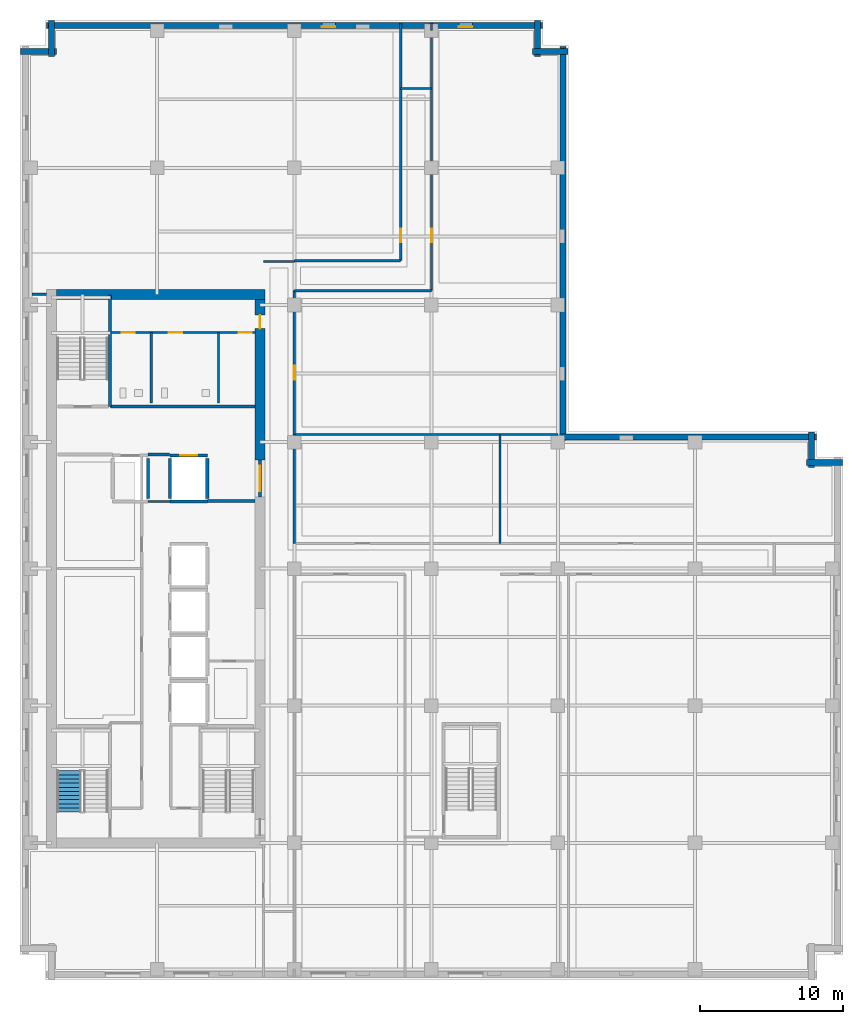
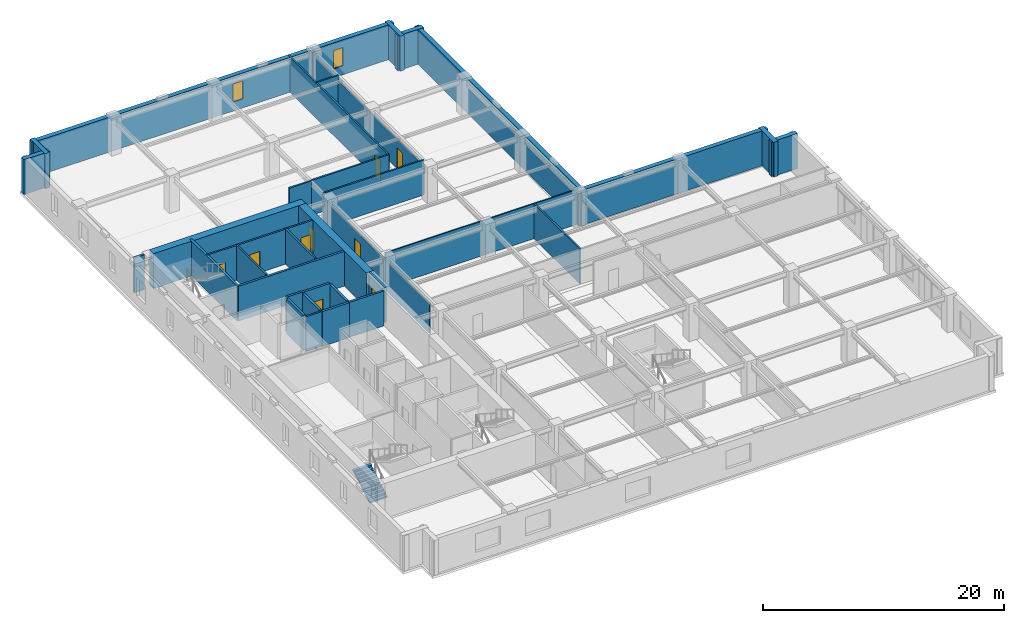
# One storey, part 6 of 12: 37 walls, 9 doors, 2 windows, 1 stair flight, 11 openings, 1 element without a shape of its own.
"""IFC4 building model written with IfcOpenShell, lengths in metres."""

from ifc_helpers import new_model, si_unit, direction, frame, frame_2d, origin, place, context, subcontext, project, spatial, polyline, rectangle, outline, extrude, material, layer, layer_set, type_object, element, fill, aggregate, save


model = new_model("IFC4")

# Units and contexts
model_context = context("Model", 3, precision=1e-05, world=origin(), true_north=direction((0.0, 1.0)))
body_context = subcontext(model_context, "Body", "Model", "MODEL_VIEW")
ifc_project = project(units=[si_unit("LENGTHUNIT", "METRE"), si_unit("AREAUNIT", "SQUARE_METRE"), si_unit("VOLUMEUNIT", "CUBIC_METRE"), si_unit("PLANEANGLEUNIT", "RADIAN"), si_unit("MASSUNIT", "GRAM", prefix="KILO")], contexts=[model_context])

# Site, building, storey
site_placement = place(None, origin())
site = spatial("IfcSite", under=ifc_project, at=site_placement, CompositionType="ELEMENT")
building_placement = place(site_placement, origin())
building = spatial("IfcBuilding", under=site, at=building_placement, Name="Norrvale University Quadrangle", CompositionType="ELEMENT")
storey_placement = place(building_placement, frame((0.0, 0.0, 182.60009765625)))
storey = spatial("IfcBuildingStorey", under=building, at=storey_placement, Name="L46", CompositionType="ELEMENT", Elevation=182.60009765625)

# Walls
ifc_material_1 = material(Name="Buff Norman Clay Brick Masonry", Category="masonry")
ifc_layer_1 = layer(ifc_material_1, 0.419921875, Name="Buff Norman Clay Brick Masonry")
ifc_layer_set_1 = layer_set([ifc_layer_1], Name="Buff Norman Clay Brick Masonry")
wall_type_1 = type_object("IfcWallType", Name="Wall Buff Brick 420", PredefinedType="SOLIDWALL", material=ifc_layer_set_1)
for number, where, z_axis, x_axis, name in (
    (1, (57.56005859375, 36.2099609375, 0.0), (0.0, 0.0, 1.0), (-1.0, 0.0, 0.0), "Exterior Brick Facade Wall L46-05.1"),
    (2, (55.409912109375, 35.860107421875, 0.0), (0.0, 0.0, 1.0), (0.0, 1.0, 0.0), "Exterior Brick Facade Wall L46-06.1"),
):
    element("IfcWall", number, at=place(storey_placement, frame(where, z_axis=z_axis, x_axis=x_axis)), inside=storey, type_object=wall_type_1, Name=name, PredefinedType="SOLIDWALL", context=body_context, shape_type="SweptSolid", body=[
        extrude(rectangle(XDim=2.5, YDim=0.419921875, at=frame_2d((1.25, 0.0))), origin(), (0.0, 0.0, 1.0), 3.539794921875),
    ])
wall_1_placement = place(storey_placement, frame((55.760009765625, 38.010009765625, 0.0), z_axis=(0.0, 0.0, 1.0), x_axis=(-1.0, 0.0, 0.0)))
element("IfcWall", 3, at=wall_1_placement, inside=storey, type_object=wall_type_1, Name="Exterior Brick Facade Wall L46-07.1", PredefinedType="SOLIDWALL", context=body_context, shape_type="SweptSolid", body=[
    extrude(rectangle(XDim=18.10009765625, YDim=0.419921875, at=frame_2d((9.050048828125, 0.0))), origin(), (0.0, 0.0, 1.0), 3.539794921875),
])
wall_2_placement = place(storey_placement, frame((38.010009765625, 37.659912109375, 0.0), z_axis=(0.0, 0.0, 1.0), x_axis=(0.0, 1.0, 0.0)))
element("IfcWall", 4, at=wall_2_placement, inside=storey, type_object=wall_type_1, Name="Exterior Brick Facade Wall L46-08.1", PredefinedType="SOLIDWALL", context=body_context, shape_type="SweptSolid", body=[
    extrude(rectangle(XDim=27.7001953125, YDim=0.419921875, at=frame_2d((13.85009765625, 0.0))), origin(), (0.0, 0.0, 1.0), 3.539794921875),
])
for number, where, z_axis, x_axis, name in (
    (5, (38.360107421875, 65.010009765625, 0.0), (0.0, 0.0, 1.0), (-1.0, 0.0, 0.0), "Exterior Brick Facade Wall L46-09.1"),
    (6, (36.2099609375, 64.659912109375, 0.0), (0.0, 0.0, 1.0), (0.0, 1.0, 0.0), "Exterior Brick Facade Wall L46-10.1"),
):
    element("IfcWall", number, at=place(storey_placement, frame(where, z_axis=z_axis, x_axis=x_axis)), inside=storey, type_object=wall_type_1, Name=name, PredefinedType="SOLIDWALL", context=body_context, shape_type="SweptSolid", body=[
        extrude(rectangle(XDim=2.5, YDim=0.419921875, at=frame_2d((1.25, 0.0))), origin(), (0.0, 0.0, 1.0), 3.539794921875),
    ])

# Wall, openings, windows
wall_3_placement = place(storey_placement, frame((36.56005859375, 66.81005859375, 0.0), z_axis=(0.0, 0.0, 1.0), x_axis=(-1.0, 0.0, 0.0)))
wall_3 = element("IfcWall", 7, at=wall_3_placement, inside=storey, type_object=wall_type_1, Name="Exterior Brick Facade Wall L46-11.1", PredefinedType="SOLIDWALL", context=body_context, shape_type="SweptSolid", body=[
    extrude(rectangle(XDim=34.719970703125, YDim=0.419921875, at=frame_2d((17.35986328125, 0.0))), origin(), (0.0, 0.0, 1.0), 3.539794921875),
])
opening_1_placement = place(wall_3_placement, frame((4.885009765625, 0.0, 0.89990234375)))
opening_1 = element("IfcOpeningElement", 8, at=opening_1_placement, cuts=wall_3, Name="Opening W04", PredefinedType="OPENING", context=body_context, shape_type="SweptSolid", body=[
    extrude(rectangle(XDim=0.949951171875, YDim=1.85009765625, at=frame_2d((0.47509765625, 0.925048828125))), frame((0.0, 0.221923828125, 0.0), z_axis=(0.0, -1.0, 0.0), x_axis=(1.0, 0.0, 0.0)), (0.0, 0.0, 1.0), 0.44384765625),
])
opening_2_placement = place(wall_3_placement, frame((14.485107421875, 0.0, 0.89990234375)))
opening_2 = element("IfcOpeningElement", 9, at=opening_2_placement, cuts=wall_3, Name="Opening W04", PredefinedType="OPENING", context=body_context, shape_type="SweptSolid", body=[
    extrude(rectangle(XDim=0.949951171875, YDim=1.85009765625, at=frame_2d((0.47509765625, 0.925048828125))), frame((0.0, 0.221923828125, 0.0), z_axis=(0.0, -1.0, 0.0), x_axis=(1.0, 0.0, 0.0)), (0.0, 0.0, 1.0), 0.44384765625),
])
ifc_material_2 = material(Name="Triple Low-E Argon Glazing", Category="glass")
window_type = type_object("IfcWindowType", Name="Window Narrow Pier 950x2300", PartitioningType="SINGLE_PANEL", PredefinedType="WINDOW", material=ifc_material_2)
window_1_placement = place(opening_1_placement, origin())
window_1 = element("IfcWindow", 10, at=window_1_placement, inside=storey, type_object=window_type, Name="Window Narrow Pier 950x2300 WIN-L46-E11-1-01", OverallHeight=1.85009765625, OverallWidth=0.949951171875, PartitioningType="SINGLE_PANEL", PredefinedType="WINDOW", context=body_context, shape_type="SweptSolid", body=[
    extrude(rectangle(XDim=0.949951171875, YDim=1.85009765625, at=frame_2d((0.47509765625, 0.925048828125))), frame((0.0, 0.110107421875, 0.0), z_axis=(0.0, -1.0, 0.0), x_axis=(1.0, 0.0, 0.0)), (0.0, 0.0, 1.0), 0.06005859375),
])
fill(opening_1, window_1)
window_2_placement = place(opening_2_placement, origin())
window_2 = element("IfcWindow", 11, at=window_2_placement, inside=storey, type_object=window_type, Name="Window Narrow Pier 950x2300 WIN-L46-E11-1-02", OverallHeight=1.85009765625, OverallWidth=0.949951171875, PartitioningType="SINGLE_PANEL", PredefinedType="WINDOW", context=body_context, shape_type="SweptSolid", body=[
    extrude(rectangle(XDim=0.949951171875, YDim=1.85009765625, at=frame_2d((0.47509765625, 0.925048828125))), frame((0.0, 0.110107421875, 0.0), z_axis=(0.0, -1.0, 0.0), x_axis=(1.0, 0.0, 0.0)), (0.0, 0.0, 1.0), 0.06005859375),
])
fill(opening_2, window_2)

# Walls
for number, where, z_axis, x_axis, name in (
    (12, (2.18994140625, 67.159912109375, 0.0), (0.0, 0.0, 1.0), (0.0, -1.0, 0.0), "Exterior Brick Facade Wall L46-12.1"),
    (13, (2.5400390625, 65.010009765625, 0.0), (0.0, 0.0, 1.0), (-1.0, 0.0, 0.0), "Exterior Brick Facade Wall L46-13.1"),
):
    element("IfcWall", number, at=place(storey_placement, frame(where, z_axis=z_axis, x_axis=x_axis)), inside=storey, type_object=wall_type_1, Name=name, PredefinedType="SOLIDWALL", context=body_context, shape_type="SweptSolid", body=[
        extrude(rectangle(XDim=2.5, YDim=0.419921875, at=frame_2d((1.25, 0.0))), origin(), (0.0, 0.0, 1.0), 3.539794921875),
    ])
ifc_material_3 = material(Name="Concrete C60/75", Category="concrete")
ifc_layer_2 = layer(ifc_material_3, 0.699951171875, Name="Concrete C60/75")
ifc_layer_set_2 = layer_set([ifc_layer_2], Name="Concrete C60/75")
wall_type_2 = type_object("IfcWallType", Name="Wall Core 700", PredefinedType="SHEAR", material=ifc_layer_set_2)
wall_4_placement = place(storey_placement, frame((2.550048828125, 48.0, 0.0), z_axis=(0.0, 0.0, 1.0), x_axis=(1.0, 0.0, 0.0)))
element("IfcWall", 14, at=wall_4_placement, inside=storey, type_object=wall_type_2, Name="Tower Core Shear Wall L46-N", PredefinedType="SHEAR", context=body_context, shape_type="SweptSolid", body=[
    extrude(rectangle(XDim=14.599853515625, YDim=0.699951171875, at=frame_2d((7.2998046875, 0.0))), origin(), (0.0, 0.0, 1.0), 3.539794921875),
])

# Wall, opening, door
wall_5_placement = place(storey_placement, frame((16.800048828125, 36.39990234375, 0.0), z_axis=(0.0, 0.0, 1.0), x_axis=(0.0, 1.0, 0.0)))
wall_5 = element("IfcWall", 15, at=wall_5_placement, inside=storey, type_object=wall_type_2, Name="Tower Core Shear Wall L46-E3", PredefinedType="SHEAR", context=body_context, shape_type="SweptSolid", body=[
    extrude(rectangle(XDim=11.25, YDim=0.699951171875, at=frame_2d((5.625, 0.0))), origin(), (0.0, 0.0, 1.0), 3.539794921875),
])
opening_3_placement = place(wall_5_placement, frame((9.199951171875, 0.0, 0.0)))
opening_3 = element("IfcOpeningElement", 16, at=opening_3_placement, cuts=wall_5, Name="Opening D07", PredefinedType="OPENING", context=body_context, shape_type="SweptSolid", body=[
    extrude(rectangle(XDim=0.949951171875, YDim=2.14990234375, at=frame_2d((0.47509765625, 1.074951171875))), frame((0.0, 0.362060546875, 0.0), z_axis=(0.0, -1.0, 0.0), x_axis=(1.0, 0.0, 0.0)), (0.0, 0.0, 1.0), 0.723876953125),
])
ifc_material_4 = material(Name="Solid-Core Maple Door", Category="wood")
door_type_1 = type_object("IfcDoorType", Name="Door Office 950x2150", OperationType="NOTDEFINED", PredefinedType="DOOR", material=ifc_material_4)
door_1_placement = place(opening_3_placement, origin())
door_1 = element("IfcDoor", 17, at=door_1_placement, inside=storey, type_object=door_type_1, Name="Door Office 950x2150 DR-L46-NECORR", OperationType="SINGLE_SWING_LEFT", OverallHeight=2.14990234375, OverallWidth=0.949951171875, PredefinedType="DOOR", context=body_context, shape_type="SweptSolid", body=[
    extrude(rectangle(XDim=0.949951171875, YDim=2.14990234375, at=frame_2d((0.47509765625, 1.074951171875))), frame((0.0, 0.02490234375, 0.0), z_axis=(0.0, -1.0, 0.0), x_axis=(1.0, 0.0, 0.0)), (0.0, 0.0, 1.0), 0.050048828125),
])
fill(opening_3, door_1)

# Walls
ifc_material_5 = material(Name="Standard Academic Gypsum Partition")
ifc_layer_3 = layer(ifc_material_5, 0.125, Name="Standard Academic Gypsum Partition")
ifc_layer_set_3 = layer_set([ifc_layer_3], Name="Standard Academic Gypsum Partition")
wall_type_3 = type_object("IfcWallType", Name="Wall Gypsum Academic 125", PredefinedType="PARTITIONING", material=ifc_layer_set_3)
wall_6_placement = place(storey_placement, frame((19.280029296875, 38.179931640625, 0.0), z_axis=(0.0, 0.0, 1.0), x_axis=(1.0, 0.0, 0.0)))
element("IfcWall", 18, at=wall_6_placement, inside=storey, type_object=wall_type_3, Name="Interior Partition WL-L46-ME-N", PredefinedType="PARTITIONING", context=body_context, shape_type="SweptSolid", body=[
    extrude(rectangle(XDim=18.369873046875, YDim=0.125, at=frame_2d((9.18505859375, 0.0))), origin(), (0.0, 0.0, 1.0), 3.539794921875),
])
ifc_material_6 = material(Name="Fire-Rated Gypsum Stud Partition")
ifc_layer_4 = layer(ifc_material_6, 0.14990234375, Name="Fire-Rated Gypsum Stud Partition")
ifc_layer_set_4 = layer_set([ifc_layer_4], Name="Fire-Rated Gypsum Stud Partition")
wall_type_4 = type_object("IfcWallType", Name="Wall Gypsum Corridor 150", PredefinedType="PARTITIONING", material=ifc_layer_set_4)
wall_7_placement = place(storey_placement, frame((8.965087890625, 33.489990234375, 0.0), z_axis=(0.0, 0.0, 1.0), x_axis=(1.0, 0.0, 0.0)))
element("IfcWall", 19, at=wall_7_placement, inside=storey, type_object=wall_type_4, Name="Interior Partition WL-L46-LL3", PredefinedType="PARTITIONING", context=body_context, shape_type="SweptSolid", body=[
    extrude(rectangle(XDim=1.52001953125, YDim=0.14990234375, at=frame_2d((0.760009765625, 0.0))), origin(), (0.0, 0.0, 1.0), 3.539794921875),
])
wall_8_placement = place(storey_placement, frame((17.050048828125, 50.300048828125, 0.0), z_axis=(0.0, 0.0, 1.0), x_axis=(1.0, 0.0, 0.0)))
element("IfcWall", 20, at=wall_8_placement, inside=storey, type_object=wall_type_4, Name="Interior Partition WL-L46-CSP-N", PredefinedType="PARTITIONING", context=body_context, shape_type="SweptSolid", body=[
    extrude(rectangle(XDim=2.14990234375, YDim=0.14990234375, at=frame_2d((1.074951171875, 0.0))), origin(), (0.0, 0.0, 1.0), 3.539794921875),
])
wall_9_placement = place(storey_placement, frame((33.60009765625, 30.550048828125, 0.0), z_axis=(0.0, 0.0, 1.0), x_axis=(0.0, 1.0, 0.0)))
element("IfcWall", 21, at=wall_9_placement, inside=storey, type_object=wall_type_4, Name="Interior Partition WL-L46-MEP01", PredefinedType="PARTITIONING", context=body_context, shape_type="SweptSolid", body=[
    extrude(rectangle(XDim=7.6298828125, YDim=0.14990234375, at=frame_2d((3.81494140625, 0.0))), origin(), (0.0, 0.0, 1.0), 3.539794921875),
])
wall_10_placement = place(storey_placement, frame((19.199951171875, 30.550048828125, 0.0), z_axis=(0.0, 0.0, 1.0), x_axis=(0.0, 1.0, 0.0)))
element("IfcWall", 22, at=wall_10_placement, inside=storey, type_object=wall_type_4, Name="Interior Partition WL-L46-ME-W", PredefinedType="PARTITIONING", context=body_context, shape_type="SweptSolid", body=[
    extrude(rectangle(XDim=7.6298828125, YDim=0.14990234375, at=frame_2d((3.81494140625, 0.0))), origin(), (0.0, 0.0, 1.0), 3.0068359375),
])

# Wall, opening, door
wall_11_placement = place(storey_placement, frame((19.199951171875, 38.179931640625, 0.0), z_axis=(0.0, 0.0, 1.0), x_axis=(0.0, 1.0, 0.0)))
wall_11 = element("IfcWall", 23, at=wall_11_placement, inside=storey, type_object=wall_type_4, Name="Interior Partition WL-L46-MNECW", PredefinedType="PARTITIONING", context=body_context, shape_type="SweptSolid", body=[
    extrude(rectangle(XDim=10.070068359375, YDim=0.14990234375, at=frame_2d((5.03515625, 0.0))), origin(), (0.0, 0.0, 1.0), 3.0068359375),
])
opening_4_placement = place(wall_11_placement, frame((3.85009765625, 0.0, 0.0)))
opening_4 = element("IfcOpeningElement", 24, at=opening_4_placement, cuts=wall_11, Name="Opening D07", PredefinedType="OPENING", context=body_context, shape_type="SweptSolid", body=[
    extrude(rectangle(XDim=0.949951171875, YDim=2.14990234375, at=frame_2d((0.47509765625, 1.074951171875))), frame((0.0, 0.0869140625, 0.0), z_axis=(0.0, -1.0, 0.0), x_axis=(1.0, 0.0, 0.0)), (0.0, 0.0, 1.0), 0.173828125),
])
door_2_placement = place(opening_4_placement, origin())
door_2 = element("IfcDoor", 25, at=door_2_placement, inside=storey, type_object=door_type_1, Name="Door Office 950x2150 DR-L46-MNE01", OperationType="SINGLE_SWING_RIGHT", OverallHeight=2.14990234375, OverallWidth=0.949951171875, PredefinedType="DOOR", context=body_context, shape_type="SweptSolid", body=[
    extrude(rectangle(XDim=0.949951171875, YDim=2.14990234375, at=frame_2d((0.47509765625, 1.074951171875))), frame((0.0, 0.02490234375, 0.0), z_axis=(0.0, -1.0, 0.0), x_axis=(1.0, 0.0, 0.0)), (0.0, 0.0, 1.0), 0.050048828125),
])
fill(opening_4, door_2)

# Walls
wall_12_placement = place(storey_placement, frame((19.199951171875, 48.25, 0.0), z_axis=(0.0, 0.0, 1.0), x_axis=(1.0, 0.0, 0.0)))
element("IfcWall", 26, at=wall_12_placement, inside=storey, type_object=wall_type_4, Name="Interior Partition WL-L46-JOGS", PredefinedType="PARTITIONING", context=body_context, shape_type="SweptSolid", body=[
    extrude(rectangle(XDim=9.60009765625, YDim=0.14990234375, at=frame_2d((4.800048828125, 0.0))), origin(), (0.0, 0.0, 1.0), 3.539794921875),
])
wall_13_placement = place(storey_placement, frame((19.199951171875, 50.35009765625, 0.0), z_axis=(0.0, 0.0, 1.0), x_axis=(1.0, 0.0, 0.0)))
element("IfcWall", 27, at=wall_13_placement, inside=storey, type_object=wall_type_4, Name="Interior Partition WL-L46-JOGN", PredefinedType="PARTITIONING", context=body_context, shape_type="SweptSolid", body=[
    extrude(rectangle(XDim=7.449951171875, YDim=0.14990234375, at=frame_2d((3.72509765625, 0.0))), origin(), (0.0, 0.0, 1.0), 3.539794921875),
])
wall_14_placement = place(storey_placement, frame((26.64990234375, 62.39990234375, 0.0), z_axis=(0.0, 0.0, 1.0), x_axis=(1.0, 0.0, 0.0)))
element("IfcWall", 28, at=wall_14_placement, inside=storey, type_object=wall_type_4, Name="Interior Partition WL-L46-JOGEND", PredefinedType="PARTITIONING", context=body_context, shape_type="SweptSolid", body=[
    extrude(rectangle(XDim=2.150146484375, YDim=0.14990234375, at=frame_2d((1.0751953125, 0.0))), origin(), (0.0, 0.0, 1.0), 3.539794921875),
])

# Wall, opening, door
wall_15_placement = place(storey_placement, frame((28.800048828125, 48.25, 0.0), z_axis=(0.0, 0.0, 1.0), x_axis=(0.0, 1.0, 0.0)))
wall_15 = element("IfcWall", 29, at=wall_15_placement, inside=storey, type_object=wall_type_4, Name="Interior Partition WL-L46-NECW", PredefinedType="PARTITIONING", context=body_context, shape_type="SweptSolid", body=[
    extrude(rectangle(XDim=18.199951171875, YDim=0.14990234375, at=frame_2d((9.10009765625, 0.0))), origin(), (0.0, 0.0, 1.0), 3.0068359375),
])
opening_5_placement = place(wall_15_placement, frame((3.39990234375, 0.0, 0.0)))
opening_5 = element("IfcOpeningElement", 30, at=opening_5_placement, cuts=wall_15, Name="Opening D07", PredefinedType="OPENING", context=body_context, shape_type="SweptSolid", body=[
    extrude(rectangle(XDim=0.949951171875, YDim=2.14990234375, at=frame_2d((0.47509765625, 1.074951171875))), frame((0.0, 0.0869140625, 0.0), z_axis=(0.0, -1.0, 0.0), x_axis=(1.0, 0.0, 0.0)), (0.0, 0.0, 1.0), 0.173828125),
])
door_3_placement = place(opening_5_placement, origin())
door_3 = element("IfcDoor", 31, at=door_3_placement, inside=storey, type_object=door_type_1, Name="Door Office 950x2150 DR-L46-NE01", OperationType="SINGLE_SWING_RIGHT", OverallHeight=2.14990234375, OverallWidth=0.949951171875, PredefinedType="DOOR", context=body_context, shape_type="SweptSolid", body=[
    extrude(rectangle(XDim=0.949951171875, YDim=2.14990234375, at=frame_2d((0.47509765625, 1.074951171875))), frame((0.0, 0.02490234375, 0.0), z_axis=(0.0, -1.0, 0.0), x_axis=(1.0, 0.0, 0.0)), (0.0, 0.0, 1.0), 0.050048828125),
])
fill(opening_5, door_3)

# Wall
wall_16_placement = place(storey_placement, frame((28.800048828125, 66.449951171875, 0.0), z_axis=(0.0, 0.0, 1.0), x_axis=(0.0, 1.0, 0.0)))
element("IfcWall", 32, at=wall_16_placement, inside=storey, type_object=wall_type_4, Name="Interior Partition WL-L46-NECW-B2", PredefinedType="PARTITIONING", context=body_context, shape_type="SweptSolid", body=[
    extrude(rectangle(XDim=0.530029296875, YDim=0.14990234375, at=frame_2d((0.26513671875, 0.0))), origin(), (0.0, 0.0, 1.0), 3.539794921875),
])

# Wall, opening, door
wall_17_placement = place(storey_placement, frame((26.64990234375, 50.35009765625, 0.0), z_axis=(0.0, 0.0, 1.0), x_axis=(0.0, 1.0, 0.0)))
wall_17 = element("IfcWall", 33, at=wall_17_placement, inside=storey, type_object=wall_type_4, Name="Interior Partition WL-L46-NWCW", PredefinedType="PARTITIONING", context=body_context, shape_type="SweptSolid", body=[
    extrude(rectangle(XDim=16.6298828125, YDim=0.14990234375, at=frame_2d((8.31494140625, 0.0))), origin(), (0.0, 0.0, 1.0), 3.539794921875),
])
opening_6_placement = place(wall_17_placement, frame((1.300048828125, 0.0, 0.0)))
opening_6 = element("IfcOpeningElement", 34, at=opening_6_placement, cuts=wall_17, Name="Opening D07", PredefinedType="OPENING", context=body_context, shape_type="SweptSolid", body=[
    extrude(rectangle(XDim=0.949951171875, YDim=2.14990234375, at=frame_2d((0.47509765625, 1.074951171875))), frame((0.0, 0.0869140625, 0.0), z_axis=(0.0, -1.0, 0.0), x_axis=(1.0, 0.0, 0.0)), (0.0, 0.0, 1.0), 0.173828125),
])
door_4_placement = place(opening_6_placement, origin())
door_4 = element("IfcDoor", 35, at=door_4_placement, inside=storey, type_object=door_type_1, Name="Door Office 950x2150 DR-L46-NW01", OperationType="SINGLE_SWING_RIGHT", OverallHeight=2.14990234375, OverallWidth=0.949951171875, PredefinedType="DOOR", context=body_context, shape_type="SweptSolid", body=[
    extrude(rectangle(XDim=0.949951171875, YDim=2.14990234375, at=frame_2d((0.47509765625, 1.074951171875))), frame((0.0, 0.02490234375, 0.0), z_axis=(0.0, -1.0, 0.0), x_axis=(1.0, 0.0, 0.0)), (0.0, 0.0, 1.0), 0.050048828125),
])
fill(opening_6, door_4)

# Wall, openings, doors
ifc_material_7 = material(Name="Sanitary Chase Gypsum Partition")
ifc_layer_5 = layer(ifc_material_7, 0.1650390625, Name="Sanitary Chase Gypsum Partition")
ifc_layer_set_5 = layer_set([ifc_layer_5], Name="Sanitary Chase Gypsum Partition")
wall_type_5 = type_object("IfcWallType", Name="Wall Gypsum Sanitary 165", PredefinedType="PLUMBINGWALL", material=ifc_layer_set_5)
wall_18_placement = place(storey_placement, frame((6.320068359375, 45.320068359375, 0.0), z_axis=(0.0, 0.0, 1.0), x_axis=(1.0, 0.0, 0.0)))
wall_18 = element("IfcWall", 36, at=wall_18_placement, inside=storey, type_object=wall_type_5, Name="Interior Partition WL-L46-WCN", PredefinedType="PLUMBINGWALL", context=body_context, shape_type="SweptSolid", body=[
    extrude(rectangle(XDim=10.1298828125, YDim=0.1650390625, at=frame_2d((5.06494140625, 0.0))), origin(), (0.0, 0.0, 1.0), 3.539794921875),
])
opening_7_placement = place(wall_18_placement, frame((0.800048828125, 0.0, 0.0)))
opening_7 = element("IfcOpeningElement", 37, at=opening_7_placement, cuts=wall_18, Name="Opening D08", PredefinedType="OPENING", context=body_context, shape_type="SweptSolid", body=[
    extrude(rectangle(XDim=0.919921875, YDim=2.14990234375, at=frame_2d((0.4599609375, 1.074951171875))), frame((0.0, 0.094482421875, 0.0), z_axis=(0.0, -1.0, 0.0), x_axis=(1.0, 0.0, 0.0)), (0.0, 0.0, 1.0), 0.18896484375),
])
opening_8_placement = place(wall_18_placement, frame((4.10009765625, 0.0, 0.0)))
opening_8 = element("IfcOpeningElement", 38, at=opening_8_placement, cuts=wall_18, Name="Opening D08", PredefinedType="OPENING", context=body_context, shape_type="SweptSolid", body=[
    extrude(rectangle(XDim=0.919921875, YDim=2.14990234375, at=frame_2d((0.4599609375, 1.074951171875))), frame((0.0, 0.094482421875, 0.0), z_axis=(0.0, -1.0, 0.0), x_axis=(1.0, 0.0, 0.0)), (0.0, 0.0, 1.0), 0.18896484375),
])
opening_9_placement = place(wall_18_placement, frame((8.97998046875, 0.0, 0.0)))
opening_9 = element("IfcOpeningElement", 39, at=opening_9_placement, cuts=wall_18, Name="Opening D08", PredefinedType="OPENING", context=body_context, shape_type="SweptSolid", body=[
    extrude(rectangle(XDim=0.919921875, YDim=2.14990234375, at=frame_2d((0.4599609375, 1.074951171875))), frame((0.0, 0.094482421875, 0.0), z_axis=(0.0, -1.0, 0.0), x_axis=(1.0, 0.0, 0.0)), (0.0, 0.0, 1.0), 0.18896484375),
])
ifc_material_8 = material(Name="Laminate Washroom Door", Category="wood")
door_type_2 = type_object("IfcDoorType", Name="Door Washroom 920x2150", OperationType="NOTDEFINED", PredefinedType="DOOR", material=ifc_material_8)
door_5_placement = place(opening_7_placement, origin())
door_5 = element("IfcDoor", 40, at=door_5_placement, inside=storey, type_object=door_type_2, Name="Door Washroom 920x2150 DR-L46-WC1", OperationType="SINGLE_SWING_LEFT", OverallHeight=2.14990234375, OverallWidth=0.919921875, PredefinedType="DOOR", context=body_context, shape_type="SweptSolid", body=[
    extrude(rectangle(XDim=0.919921875, YDim=2.14990234375, at=frame_2d((0.4599609375, 1.074951171875))), frame((0.0, 0.02490234375, 0.0), z_axis=(0.0, -1.0, 0.0), x_axis=(1.0, 0.0, 0.0)), (0.0, 0.0, 1.0), 0.050048828125),
])
fill(opening_7, door_5)
door_6_placement = place(opening_8_placement, origin())
door_6 = element("IfcDoor", 41, at=door_6_placement, inside=storey, type_object=door_type_2, Name="Door Washroom 920x2150 DR-L46-WC2", OperationType="SINGLE_SWING_RIGHT", OverallHeight=2.14990234375, OverallWidth=0.919921875, PredefinedType="DOOR", context=body_context, shape_type="SweptSolid", body=[
    extrude(rectangle(XDim=0.919921875, YDim=2.14990234375, at=frame_2d((0.4599609375, 1.074951171875))), frame((0.0, 0.02490234375, 0.0), z_axis=(0.0, -1.0, 0.0), x_axis=(1.0, 0.0, 0.0)), (0.0, 0.0, 1.0), 0.050048828125),
])
fill(opening_8, door_6)
door_7_placement = place(opening_9_placement, origin())
door_7 = element("IfcDoor", 42, at=door_7_placement, inside=storey, type_object=door_type_2, Name="Door Washroom 920x2150 DR-L46-WC3", OperationType="SINGLE_SWING_LEFT", OverallHeight=2.14990234375, OverallWidth=0.919921875, PredefinedType="DOOR", context=body_context, shape_type="SweptSolid", body=[
    extrude(rectangle(XDim=0.919921875, YDim=2.14990234375, at=frame_2d((0.4599609375, 1.074951171875))), frame((0.0, 0.02490234375, 0.0), z_axis=(0.0, -1.0, 0.0), x_axis=(1.0, 0.0, 0.0)), (0.0, 0.0, 1.0), 0.050048828125),
])
fill(opening_9, door_7)

# Walls
for number, where, z_axis, x_axis, name in (
    (43, (9.199951171875, 40.39990234375, 0.0), (0.0, 0.0, 1.0), (0.0, 1.0, 0.0), "Interior Partition WL-L46-WCM1"),
    (44, (13.89990234375, 40.39990234375, 0.0), (0.0, 0.0, 1.0), (0.0, 1.0, 0.0), "Interior Partition WL-L46-WCM2"),
):
    element("IfcWall", number, at=place(storey_placement, frame(where, z_axis=z_axis, x_axis=x_axis)), inside=storey, type_object=wall_type_5, Name=name, PredefinedType="PLUMBINGWALL", context=body_context, shape_type="SweptSolid", body=[
        extrude(rectangle(XDim=4.920166015625, YDim=0.1650390625, at=frame_2d((2.4599609375, 0.0))), origin(), (0.0, 0.0, 1.0), 3.539794921875),
    ])
ifc_material_9 = material(Name="Concrete Blockwork 20 MPa Rated Wall", Category="masonry")
ifc_layer_6 = layer(ifc_material_9, 0.199951171875, Name="Concrete Blockwork 20 MPa Rated Wall")
ifc_layer_set_6 = layer_set([ifc_layer_6], Name="Concrete Blockwork 20 MPa Rated Wall")
wall_type_6 = type_object("IfcWallType", Name="Wall Lobby 200", PredefinedType="SOLIDWALL", material=ifc_layer_set_6)
wall_19_placement = place(storey_placement, frame((8.969970703125, 36.780029296875, 0.0), z_axis=(0.0, 0.0, 1.0), x_axis=(1.0, 0.0, 0.0)))
element("IfcWall", 45, at=wall_19_placement, inside=storey, type_object=wall_type_6, Name="Interior Partition WL-L46-FF2", PredefinedType="SOLIDWALL", context=body_context, shape_type="SweptSolid", body=[
    extrude(rectangle(XDim=1.510009765625, YDim=0.199951171875, at=frame_2d((0.7548828125, 0.0))), origin(), (0.0, 0.0, 1.0), 3.539794921875),
])
wall_20_placement = place(storey_placement, frame((13.1201171875, 33.52001953125, 0.0), z_axis=(0.0, 0.0, 1.0), x_axis=(1.0, 0.0, 0.0)))
element("IfcWall", 46, at=wall_20_placement, inside=storey, type_object=wall_type_6, Name="Interior Partition WL-L46-FF3", PredefinedType="SOLIDWALL", context=body_context, shape_type="SweptSolid", body=[
    extrude(rectangle(XDim=3.329833984375, YDim=0.199951171875, at=frame_2d((1.6650390625, 0.0))), origin(), (0.0, 0.0, 1.0), 3.539794921875),
])
wall_21_placement = place(storey_placement, frame((6.320068359375, 40.139892578125, 0.0), z_axis=(0.0, 0.0, 1.0), x_axis=(1.0, 0.0, 0.0)))
element("IfcWall", 47, at=wall_21_placement, inside=storey, type_object=wall_type_6, Name="Interior Partition WL-L46-FF4", PredefinedType="SOLIDWALL", context=body_context, shape_type="SweptSolid", body=[
    extrude(rectangle(XDim=10.1298828125, YDim=0.199951171875, at=frame_2d((5.06494140625, 0.0))), origin(), (0.0, 0.0, 1.0), 3.539794921875),
])

# Wall, opening, door
wall_22_placement = place(storey_placement, frame((16.800048828125, 33.800048828125, 0.0), z_axis=(0.0, 0.0, 1.0), x_axis=(0.0, 1.0, 0.0)))
wall_22 = element("IfcWall", 48, at=wall_22_placement, inside=storey, type_object=wall_type_6, Name="Interior Partition WL-L46-FFP", PredefinedType="SOLIDWALL", context=body_context, shape_type="SweptSolid", body=[
    extrude(rectangle(XDim=2.599853515625, YDim=0.199951171875, at=frame_2d((1.2998046875, 0.0))), origin(), (0.0, 0.0, 1.0), 3.539794921875),
])
opening_10_placement = place(wall_22_placement, frame((0.39990234375, 0.0, 0.0)))
opening_10 = element("IfcOpeningElement", 49, at=opening_10_placement, cuts=wall_22, Name="Opening D03", PredefinedType="OPENING", context=body_context, shape_type="SweptSolid", body=[
    extrude(rectangle(XDim=1.800048828125, YDim=2.199951171875, at=frame_2d((0.89990234375, 1.10009765625))), frame((0.0, 0.112060546875, 0.0), z_axis=(0.0, -1.0, 0.0), x_axis=(1.0, 0.0, 0.0)), (0.0, 0.0, 1.0), 0.223876953125),
])
ifc_material_10 = material(Name="Hollow Steel 350W Fire Door", Category="steel")
door_type_3 = type_object("IfcDoorType", Name="Door Fire Lobby 1800x2200", OperationType="DOUBLE_DOOR_SINGLE_SWING", PredefinedType="DOOR", material=ifc_material_10)
door_8_placement = place(opening_10_placement, origin())
door_8 = element("IfcDoor", 50, at=door_8_placement, inside=storey, type_object=door_type_3, Name="Door Fire Lobby 1800x2200 DR-L46-FFP", OperationType="DOUBLE_DOOR_SINGLE_SWING", OverallHeight=2.199951171875, OverallWidth=1.800048828125, PredefinedType="DOOR", context=body_context, shape_type="SweptSolid", body=[
    extrude(rectangle(XDim=1.800048828125, YDim=2.199951171875, at=frame_2d((0.89990234375, 1.10009765625))), frame((0.0, 0.02490234375, 0.0), z_axis=(0.0, -1.0, 0.0), x_axis=(1.0, 0.0, 0.0)), (0.0, 0.0, 1.0), 0.050048828125),
])
fill(opening_10, door_8)

# Walls
wall_23_placement = place(storey_placement, frame((0.85009765625, 48.0, 0.0), z_axis=(0.0, 0.0, 1.0), x_axis=(1.0, 0.0, 0.0)))
element("IfcWall", 51, at=wall_23_placement, inside=storey, type_object=wall_type_6, Name="Interior Partition WL-L46-CWRET-N", PredefinedType="SOLIDWALL", context=body_context, shape_type="SweptSolid", body=[
    extrude(rectangle(XDim=0.994873046875, YDim=0.199951171875, at=frame_2d((0.49755859375, 0.0))), origin(), (0.0, 0.0, 1.0), 3.539794921875),
])
ifc_material_11 = material(Name="Concrete Blockwork 20 MPa Fire Shaft", Category="masonry")
ifc_layer_7 = layer(ifc_material_11, 0.219970703125, Name="Concrete Blockwork 20 MPa Fire Shaft")
ifc_layer_set_7 = layer_set([ifc_layer_7], Name="Concrete Blockwork 20 MPa Fire Shaft")
wall_type_7 = type_object("IfcWallType", Name="Wall Shaft 220", PredefinedType="SOLIDWALL", material=ifc_layer_set_7)
wall_24_placement = place(storey_placement, frame((6.31005859375, 40.139892578125, 0.0), z_axis=(0.0, 0.0, 1.0), x_axis=(0.0, 1.0, 0.0)))
element("IfcWall", 52, at=wall_24_placement, inside=storey, type_object=wall_type_7, Name="Stair ST-02 East Shaft Wall L46", PredefinedType="SOLIDWALL", context=body_context, shape_type="SweptSolid", body=[
    extrude(rectangle(XDim=7.81005859375, YDim=0.219970703125, at=frame_2d((3.905029296875, 0.0))), origin(), (0.0, 0.0, 1.0), 3.539794921875),
])
for number, where, z_axis, x_axis, name in (
    (53, (8.9599609375, 33.7099609375, 0.0), (0.0, 0.0, 1.0), (0.0, 1.0, 0.0), "Hoistway FFL-01 East Wall L46"),
    (54, (10.489990234375, 33.7099609375, 0.0), (0.0, 0.0, 1.0), (0.0, 1.0, 0.0), "Hoistway FFL-02 West Wall L46"),
    (55, (13.110107421875, 33.7099609375, 0.0), (0.0, 0.0, 1.0), (0.0, 1.0, 0.0), "Hoistway FFL-02 East Wall L46"),
):
    element("IfcWall", number, at=place(storey_placement, frame(where, z_axis=z_axis, x_axis=x_axis)), inside=storey, type_object=wall_type_7, Name=name, PredefinedType="SOLIDWALL", context=body_context, shape_type="SweptSolid", body=[
        extrude(rectangle(XDim=2.780029296875, YDim=0.219970703125, at=frame_2d((1.39013671875, 0.0))), origin(), (0.0, 0.0, 1.0), 3.539794921875),
    ])
wall_25_placement = place(storey_placement, frame((10.489990234375, 33.489990234375, 0.0), z_axis=(0.0, 0.0, 1.0), x_axis=(1.0, 0.0, 0.0)))
element("IfcWall", 56, at=wall_25_placement, inside=storey, type_object=wall_type_7, Name="Hoistway FFL-02 South Wall L46", PredefinedType="SOLIDWALL", context=body_context, shape_type="SweptSolid", body=[
    extrude(rectangle(XDim=2.6201171875, YDim=0.219970703125, at=frame_2d((1.31005859375, 0.0))), origin(), (0.0, 0.0, 1.0), 3.539794921875),
])

# Wall, opening, door
wall_26_placement = place(storey_placement, frame((10.489990234375, 36.7099609375, 0.0), z_axis=(0.0, 0.0, 1.0), x_axis=(1.0, 0.0, 0.0)))
wall_26 = element("IfcWall", 57, at=wall_26_placement, inside=storey, type_object=wall_type_7, Name="Hoistway FFL-02 North Wall L46", PredefinedType="SOLIDWALL", context=body_context, shape_type="SweptSolid", body=[
    extrude(rectangle(XDim=2.6201171875, YDim=0.219970703125, at=frame_2d((1.31005859375, 0.0))), origin(), (0.0, 0.0, 1.0), 3.539794921875),
])
opening_11_placement = place(wall_26_placement, frame((0.7099609375, 0.0, 0.0)))
opening_11 = element("IfcOpeningElement", 58, at=opening_11_placement, cuts=wall_26, Name="Opening LD2", PredefinedType="OPENING", context=body_context, shape_type="SweptSolid", body=[
    extrude(rectangle(XDim=1.199951171875, YDim=2.199951171875, at=frame_2d((0.60009765625, 1.10009765625))), frame((0.0, 0.1220703125, 0.0), z_axis=(0.0, -1.0, 0.0), x_axis=(1.0, 0.0, 0.0)), (0.0, 0.0, 1.0), 0.243896484375),
])
ifc_material_12 = material(Name="Stainless Steel 316L Firefighter Lift Door", Category="steel")
door_type_4 = type_object("IfcDoorType", Name="Door Fire Lift 1200x2200", OperationType="DOUBLE_DOOR_SLIDING", PredefinedType="DOOR", material=ifc_material_12)
door_9_placement = place(opening_11_placement, origin())
door_9 = element("IfcDoor", 59, at=door_9_placement, inside=storey, type_object=door_type_4, Name="Elevator Landing Door DR-L46-FFL-02", OperationType="DOUBLE_DOOR_SLIDING", OverallHeight=2.199951171875, OverallWidth=1.199951171875, PredefinedType="DOOR", context=body_context, shape_type="SweptSolid", body=[
    extrude(rectangle(XDim=1.199951171875, YDim=2.199951171875, at=frame_2d((0.60009765625, 1.10009765625))), frame((0.0, 0.02490234375, 0.0), z_axis=(0.0, -1.0, 0.0), x_axis=(1.0, 0.0, 0.0)), (0.0, 0.0, 1.0), 0.050048828125),
])
fill(opening_11, door_9)

# Stair, stair flight
ifc_material_13 = material(Name="Concrete C40/50", Category="concrete")
stair_type = type_object("IfcStairType", Name="Stair Tower Typ 3800", PredefinedType="TWO_STRAIGHT_RUN_STAIR", material=ifc_material_13)
stair_placement = place(storey_placement, origin())
stair = element("IfcStair", 60, at=stair_placement, inside=storey, type_object=stair_type, Name="Exit Stair ST-01 L46", PredefinedType="TWO_STRAIGHT_RUN_STAIR")
stair_flight_type = type_object("IfcStairFlightType", Name="Flight Typ 1500", PredefinedType="STRAIGHT", material=ifc_material_13)
stair_flight_placement = place(storey_placement, frame((3.429931640625, 11.75, 0.0), z_axis=(0.0, 0.0, 1.0), x_axis=(0.0, 1.0, 0.0)))
stair_flight = element("IfcStairFlight", 61, at=stair_flight_placement, type_object=stair_flight_type, Name="Exit Stair ST-01 L46 Lower Flight", NumberOfRisers=11, NumberOfTreads=10, PredefinedType="STRAIGHT", RiserHeight=0.172727, TreadLength=0.29, context=body_context, shape_type="SweptSolid", body=[
    extrude(outline(polyline([(0.0, 0.0), (0.0, 0.172607421875), (0.2900390625, 0.172607421875), (0.2900390625, 0.345458984375), (0.580078125, 0.345458984375), (0.580078125, 0.51806640625), (0.8701171875, 0.51806640625), (0.8701171875, 0.69091796875), (1.159912109375, 0.69091796875), (1.159912109375, 0.863525390625), (1.449951171875, 0.863525390625), (1.449951171875, 1.036376953125), (1.739990234375, 1.036376953125), (1.739990234375, 1.208984375), (2.030029296875, 1.208984375), (2.030029296875, 1.3818359375), (2.320068359375, 1.3818359375), (2.320068359375, 1.554443359375), (2.610107421875, 1.554443359375), (2.610107421875, 1.727294921875), (2.89990234375, 1.727294921875), (2.89990234375, 1.89990234375), (2.89990234375, 1.552734375), (0.29296875, 0.0), (0.0, 0.0)])), frame((0.0, 0.83984375, 0.0), z_axis=(0.0, -1.0, 0.0), x_axis=(1.0, 0.0, 0.0)), (0.0, 0.0, 1.0), 1.679931640625),
])
aggregate(stair, [stair_flight])

save(model, "model.ifc")
